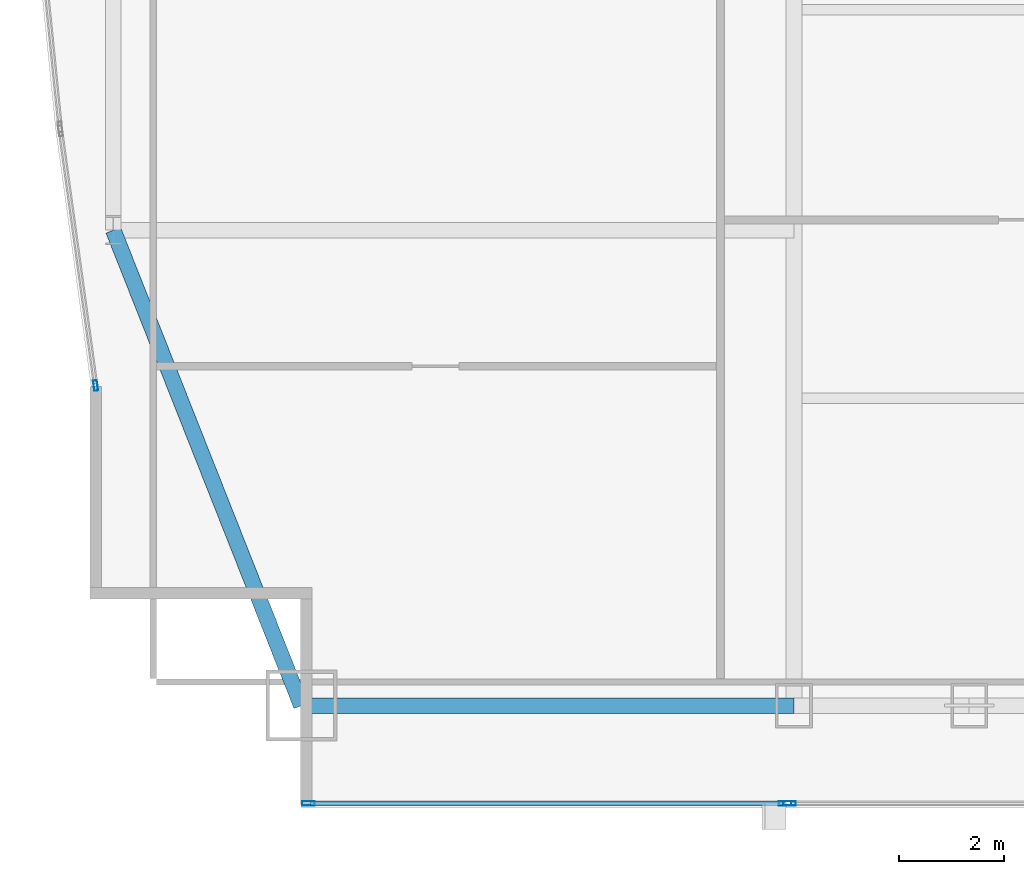
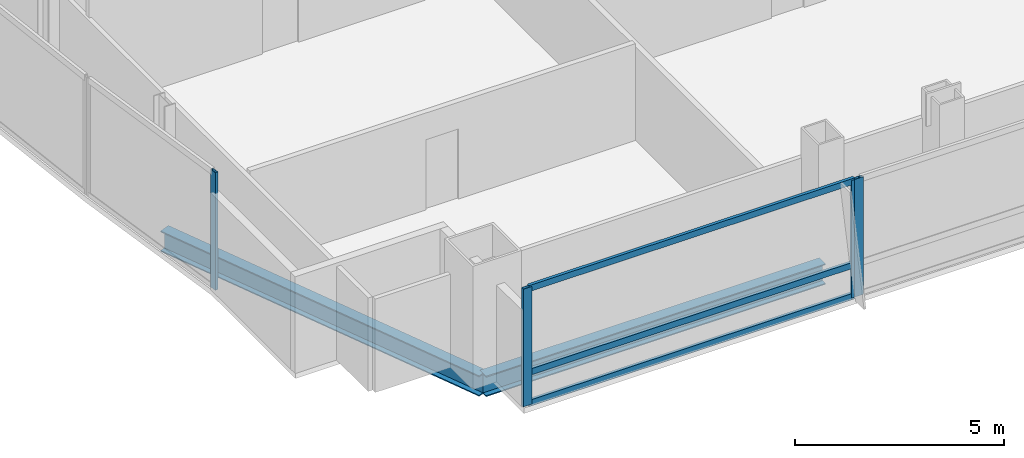
# One storey, part 5 of 29: 7 members, 2 beams, 3 elements without a shape of their own.
"""IFC4 building model written with IfcOpenShell, lengths in metres."""

import ifcopenshell
import ifcopenshell.guid

model = None  # the IFC model being written
_history = None  # IfcOwnerHistory: only IFC2X3 demands one
_inside = {}  # id of a spatial element -> (the spatial element, [elements in it])
_under = {}  # id of a project, library or spatial element -> (it, [spatial elements below it])
_declared = {}  # id of a project -> (the project, [libraries it declares])
_typed = {}  # id of a type object -> (the type object, [elements of that type])
_made_of = {}  # id of a material, layer set ... -> (it, [elements and type objects made of it])


def new_model(schema):
    """Start an empty IFC model of exactly this schema.

    Asked for "IFC4X3", IfcOpenShell would pick the latest addendum, in which some entities
    have other attributes; the version numbers below select the first issue.
    IFC2X3 requires an IfcOwnerHistory on every rooted entity: one is made here for all.
    """
    global model, _history
    if schema == "IFC4X3":
        model = ifcopenshell.file(schema_version=(4, 3, 0, 0))
    else:
        model = ifcopenshell.file(schema=schema)
    _inside.clear()
    _under.clear()
    _declared.clear()
    _typed.clear()
    _made_of.clear()
    _history = None
    if model.schema == "IFC2X3":
        org = make("IfcOrganization", Name="unknown")
        user = make(
            "IfcPersonAndOrganization",
            ThePerson=make("IfcPerson", FamilyName="unknown"),
            TheOrganization=org,
        )
        app = make(
            "IfcApplication",
            ApplicationDeveloper=org,
            Version="unknown",
            ApplicationFullName="unknown",
            ApplicationIdentifier="unknown",
        )
        _history = make(
            "IfcOwnerHistory",
            OwningUser=user,
            OwningApplication=app,
            ChangeAction="ADDED",
            CreationDate=0,
        )
    return model


def make(cls, **values):
    """One entity of the class cls with the attributes given. An attribute that is None is left unset."""
    return model.create_entity(
        cls, **{name: value for name, value in values.items() if value is not None}
    )


def rooted(cls, **values):
    """An entity with a GlobalId (a new one), such as an element, a storey or a relation."""
    return make(cls, GlobalId=ifcopenshell.guid.new(), OwnerHistory=_history, **values)


def si_unit(unit_type, name, prefix=None):
    """IfcSIUnit, for example si_unit("LENGTHUNIT", "METRE", prefix="MILLI")."""
    return make("IfcSIUnit", UnitType=unit_type, Prefix=prefix, Name=name)


def assignment(units):
    """IfcUnitAssignment: the units of a project."""
    return None if units is None else make("IfcUnitAssignment", Units=units)


def point(xyz):
    """IfcCartesianPoint."""
    return None if xyz is None else make("IfcCartesianPoint", Coordinates=xyz)


def direction(xyz):
    """IfcDirection."""
    return None if xyz is None else make("IfcDirection", DirectionRatios=xyz)


def frame(location, z_axis=None, x_axis=None):
    """IfcAxis2Placement3D, a coordinate frame: its origin and axes. An axis left out is left unset."""
    return make(
        "IfcAxis2Placement3D",
        Location=point(location),
        Axis=direction(z_axis),
        RefDirection=direction(x_axis),
    )


def frame_2d(location, x_axis=None):
    """IfcAxis2Placement2D, a coordinate frame in the plane: its origin and x axis."""
    return make(
        "IfcAxis2Placement2D", Location=point(location), RefDirection=direction(x_axis)
    )


def origin():
    """The frame at (0, 0, 0) with its axes left unset."""
    return frame((0.0, 0.0, 0.0))


def origin_2d():
    """The frame at (0, 0) in the plane with its x axis left unset."""
    return frame_2d((0.0, 0.0))


def place(relative_to, where):
    """IfcLocalPlacement: puts the frame where relative to a parent placement (None: the world)."""
    return make(
        "IfcLocalPlacement", PlacementRelTo=relative_to, RelativePlacement=where
    )


def context(
    kind, dimensions, precision=None, world=None, true_north=None, identifier=None
):
    """IfcGeometricRepresentationContext, for example the 3D "Model" context."""
    return make(
        "IfcGeometricRepresentationContext",
        ContextIdentifier=identifier,
        ContextType=kind,
        CoordinateSpaceDimension=dimensions,
        Precision=precision,
        WorldCoordinateSystem=world,
        TrueNorth=true_north,
    )


def subcontext(parent, identifier, kind, view, scale=None):
    """IfcGeometricRepresentationSubContext, for example "Body" below "Model"."""
    return make(
        "IfcGeometricRepresentationSubContext",
        ContextIdentifier=identifier,
        ContextType=kind,
        ParentContext=parent,
        TargetScale=scale,
        TargetView=view,
    )


def project(units=None, contexts=None):
    """IfcProject with its units and contexts."""
    return rooted(
        "IfcProject",
        Name="project",
        RepresentationContexts=contexts,
        UnitsInContext=assignment(units),
    )


def spatial(cls, under=None, at=None, **own):
    """A site, building, storey or space (cls), placed at a placement, below another one or the project."""
    s = rooted(cls, ObjectPlacement=at, **own)
    if under is not None:
        _under.setdefault(under.id(), (under, []))[1].append(s)
    return s


def profile(cls, at=None, kind="AREA", **sizes):
    """A parametric profile (cls). Its sizes go by their IFC names, for example OverallWidth=200.0."""
    return make(cls, ProfileType=kind, Position=at, **sizes)


def hollow_rectangle(**sizes):
    """IfcRectangleHollowProfileDef."""
    return profile("IfcRectangleHollowProfileDef", **sizes)


def i_section(**sizes):
    """IfcIShapeProfileDef."""
    return profile("IfcIShapeProfileDef", **sizes)


def extrude(swept, where, along, depth):
    """IfcExtrudedAreaSolid: the profile swept, set in the frame where, extruded along a direction by depth."""
    return make(
        "IfcExtrudedAreaSolid",
        SweptArea=swept,
        Position=where,
        ExtrudedDirection=direction(along),
        Depth=depth,
    )


def shape(context_of_items, identifier, shape_type, items):
    """IfcShapeRepresentation: the items that make up one representation, for example the "Body"."""
    return make(
        "IfcShapeRepresentation",
        ContextOfItems=context_of_items,
        RepresentationIdentifier=identifier,
        RepresentationType=shape_type,
        Items=items,
    )


def material(Name=None, Category=None):
    """IfcMaterial."""
    return make("IfcMaterial", Name=Name, Category=Category)


def material_profile(
    of_material, cross_section, Name=None, Category=None, Priority=None
):
    """IfcMaterialProfile: a cross section and its material."""
    return make(
        "IfcMaterialProfile",
        Name=Name,
        Material=of_material,
        Profile=cross_section,
        Priority=Priority,
        Category=Category,
    )


def profile_set(profiles, Name=None, composite=None):
    """IfcMaterialProfileSet."""
    return make(
        "IfcMaterialProfileSet",
        Name=Name,
        MaterialProfiles=profiles,
        CompositeProfile=composite,
    )


def made_of(thing, what):
    """Note that an element or type object is made of a material, layer set ...; save() writes the relation."""
    if what is not None:
        _made_of.setdefault(what.id(), (what, []))[1].append(thing)
    return thing


def type_object(cls, material=None, **own):
    """A type object (cls), such as IfcWallType, which elements share."""
    return made_of(rooted(cls, **own), material)


def element(
    cls,
    number,
    at=None,
    inside=None,
    cuts=None,
    type_object=None,
    material=None,
    context=None,
    identifier="Body",
    shape_type=None,
    held_by="IfcProductDefinitionShape",
    body=None,
    shapes=None,
    **own,
):
    """One element of the class cls, such as IfcWall. Its Tag is "e" and its number.

    at: its placement. inside: the storey or other place that contains it. cuts: it is an
    opening in that element (IfcRelVoidsElement). A single representation is given by context,
    identifier, shape_type and body (its items); several are given by shapes. held_by: the class
    of the entity that holds the representations. save() writes the other relations.
    """
    e = rooted(cls, Tag="e%d" % number, ObjectPlacement=at, **own)
    if body is not None:
        shapes = [shape(context, identifier, shape_type, body)]
    if shapes is not None:
        e.Representation = make(held_by, Representations=shapes)
    if inside is not None:
        _inside.setdefault(inside.id(), (inside, []))[1].append(e)
    if cuts is not None:
        rooted(
            "IfcRelVoidsElement", RelatingBuildingElement=cuts, RelatedOpeningElement=e
        )
    if type_object is not None:
        _typed.setdefault(type_object.id(), (type_object, []))[1].append(e)
    return made_of(e, material)


def aggregate(whole, parts):
    """IfcRelAggregates: a whole, such as a stair, and the parts it consists of."""
    return rooted("IfcRelAggregates", RelatingObject=whole, RelatedObjects=parts)


def save(model, path):
    """Write the relations noted so far, then the file.

    IfcRelAggregates (storeys below a building ...), IfcRelContainedInSpatialStructure (elements
    in a storey), IfcRelDefinesByType, IfcRelAssociatesMaterial and IfcRelDeclares: one each for
    every whole, place, type object, material and project.
    """
    for whole, parts in _under.values():
        aggregate(whole, parts)
    for where, things in _inside.values():
        rooted(
            "IfcRelContainedInSpatialStructure",
            RelatedElements=things,
            RelatingStructure=where,
        )
    for kind, things in _typed.values():
        rooted("IfcRelDefinesByType", RelatedObjects=things, RelatingType=kind)
    for what, things in _made_of.values():
        rooted("IfcRelAssociatesMaterial", RelatedObjects=things, RelatingMaterial=what)
    for by, libraries in _declared.values():
        rooted("IfcRelDeclares", RelatingContext=by, RelatedDefinitions=libraries)
    model.write(path)


model = new_model("IFC4")

# Units and contexts
model_context = context("Model", 3, precision=1e-05, world=origin(), true_north=direction((0.0, 1.0)))
body_context = subcontext(model_context, "Body", "Model", "MODEL_VIEW")
ifc_project = project(units=[si_unit("LENGTHUNIT", "METRE"), si_unit("AREAUNIT", "SQUARE_METRE"), si_unit("VOLUMEUNIT", "CUBIC_METRE"), si_unit("PLANEANGLEUNIT", "RADIAN"), si_unit("MASSUNIT", "GRAM", prefix="KILO")], contexts=[model_context])

# Site, building, storey
site_placement = place(None, origin())
site = spatial("IfcSite", under=ifc_project, at=site_placement, CompositionType="ELEMENT")
building_placement = place(site_placement, origin())
building = spatial("IfcBuilding", under=site, at=building_placement, Name="Khoronbel Lancet Exchange", CompositionType="ELEMENT")
storey_placement = place(building_placement, frame((0.0, 0.0, 177.0)))
storey = spatial("IfcBuildingStorey", under=building, at=storey_placement, Name="L44", CompositionType="ELEMENT", Elevation=177.0)

# Beams
ifc_material_1 = material(Name="Steel S355", Category="steel")
ifc_material_profile_1 = material_profile(ifc_material_1, i_section(OverallWidth=0.300048828125, OverallDepth=0.60009765625, WebThickness=0.015380859375, FlangeThickness=0.030029296875, at=origin_2d()), Name="HEB 600")
ifc_profile_set_1 = profile_set([ifc_material_profile_1], Name="Steel S355")
beam_type = type_object("IfcBeamType", Name="BM-BSP2", PredefinedType="SPANDREL", material=ifc_profile_set_1)
beam_1_placement = place(storey_placement, frame((8.85009765625, 10.14990234375, -0.4599609375), z_axis=(1.0, 0.0, 0.0), x_axis=(0.0, 1.0, 0.0)))
element("IfcBeam", 1, at=beam_1_placement, inside=storey, type_object=beam_type, Name="Level L44 perimeter spandrel beam SP01", PredefinedType="SPANDREL", context=body_context, shape_type="SweptSolid", body=[
    extrude(i_section(OverallWidth=0.300048828125, OverallDepth=0.60009765625, WebThickness=0.015380859375, FlangeThickness=0.030029296875, at=origin_2d()), origin(), (0.0, 0.0, 1.0), 9.375),
])
beam_2_placement = place(storey_placement, frame((5.27001953125, 19.199951171875, -0.4599609375), z_axis=(0.367850095026, -0.92988510451, 0.0), x_axis=(0.92988510451, 0.367850095026, 0.0)))
element("IfcBeam", 2, at=beam_2_placement, inside=storey, type_object=beam_type, Name="Level L44 perimeter spandrel beam SP21", PredefinedType="SPANDREL", context=body_context, shape_type="SweptSolid", body=[
    extrude(i_section(OverallWidth=0.300048828125, OverallDepth=0.60009765625, WebThickness=0.015380859375, FlangeThickness=0.030029296875, at=origin_2d()), origin(), (0.0, 0.0, 1.0), 9.732421875),
])

# Curtain wall, members
ifc_material_2 = material(Name="Low-E Solar Control Insulating Glass", Category="glass")
curtain_wall_type_1 = type_object("IfcCurtainWallType", Name="CW-3", PredefinedType="NOTDEFINED", material=ifc_material_2)
curtain_wall_1_placement = place(storey_placement, origin())
curtain_wall_1 = element("IfcCurtainWall", 3, at=curtain_wall_1_placement, inside=storey, type_object=curtain_wall_type_1, Name="Unitised curtain wall CW-L44-SWV", PredefinedType="NOTDEFINED")
ifc_material_3 = material(Name="Bronze-Anodised Aluminium 6063-T6", Category="aluminium")
ifc_material_profile_2 = material_profile(ifc_material_3, hollow_rectangle(XDim=0.0849609375, YDim=0.239990234375, WallThickness=0.006103515625, at=origin_2d()), Name="ALU MULLION 85x240")
ifc_profile_set_2 = profile_set([ifc_material_profile_2], Name="Bronze-Anodised Aluminium 6063-T6")
member_type_1 = type_object("IfcMemberType", Name="MEM-CWM1", PredefinedType="MULLION", material=ifc_profile_set_2)
member_1_placement = place(storey_placement, frame((8.982421875, 8.2900390625, 0.0), z_axis=(0.0, 0.0, 1.0), x_axis=(0.0, 1.0, 0.0)))
member_1 = element("IfcMember", 4, at=member_1_placement, type_object=member_type_1, Name="CW3 mullion 1", PredefinedType="MULLION", context=body_context, shape_type="SweptSolid", body=[
    extrude(hollow_rectangle(XDim=0.0849609375, YDim=0.239990234375, WallThickness=0.006103515625, at=origin_2d()), origin(), (0.0, 0.0, 1.0), 3.43994140625),
])
member_2_placement = place(storey_placement, frame((18.0576171875, 8.2900390625, 0.0), z_axis=(0.0, 0.0, 1.0), x_axis=(0.0, 1.0, 0.0)))
member_2 = element("IfcMember", 5, at=member_2_placement, type_object=member_type_1, Name="CW3 mullion 2", PredefinedType="MULLION", context=body_context, shape_type="SweptSolid", body=[
    extrude(hollow_rectangle(XDim=0.0849609375, YDim=0.239990234375, WallThickness=0.006103515625, at=origin_2d()), origin(), (0.0, 0.0, 1.0), 3.43994140625),
])

# Curtain wall, member
curtain_wall_2_placement = place(storey_placement, origin())
curtain_wall_2 = element("IfcCurtainWall", 6, at=curtain_wall_2_placement, inside=storey, type_object=curtain_wall_type_1, Name="Unitised curtain wall CW-L44-SWB", PredefinedType="NOTDEFINED")
member_3_placement = place(storey_placement, frame((18.142578125, 8.2900390625, 0.0), z_axis=(0.0, 0.0, 1.0), x_axis=(0.0, 1.0, 0.0)))
member_3 = element("IfcMember", 7, at=member_3_placement, type_object=member_type_1, Name="CW3 mullion 1", PredefinedType="MULLION", context=body_context, shape_type="SweptSolid", body=[
    extrude(hollow_rectangle(XDim=0.0849609375, YDim=0.239990234375, WallThickness=0.006103515625, at=origin_2d()), origin(), (0.0, 0.0, 1.0), 3.43994140625),
])
aggregate(curtain_wall_2, [member_3])

curtain_wall_type_2 = type_object("IfcCurtainWallType", Name="CW-4", PredefinedType="NOTDEFINED", material=ifc_material_2)
curtain_wall_3_placement = place(storey_placement, origin())
curtain_wall_3 = element("IfcCurtainWall", 8, at=curtain_wall_3_placement, inside=storey, type_object=curtain_wall_type_2, Name="Unitised curtain wall CW-L44-E04", PredefinedType="NOTDEFINED")
ifc_material_profile_3 = material_profile(ifc_material_3, hollow_rectangle(XDim=0.074951171875, YDim=0.199951171875, WallThickness=0.0048828125, at=origin_2d()), Name="ALU MULLION 75x200")
ifc_profile_set_3 = profile_set([ifc_material_profile_3], Name="Bronze-Anodised Aluminium 6063-T6")
member_type_2 = type_object("IfcMemberType", Name="MEM-CWM2", PredefinedType="MULLION", material=ifc_profile_set_3)
member_4_placement = place(storey_placement, frame((4.934814453125, 16.243408203125, 0.0), z_axis=(0.0, 0.0, 1.0), x_axis=(-0.990634372292, -0.136541350639, 0.0)))
member_4 = element("IfcMember", 9, at=member_4_placement, type_object=member_type_2, Name="CW4 mullion 1", PredefinedType="MULLION", context=body_context, shape_type="SweptSolid", body=[
    extrude(hollow_rectangle(XDim=0.074951171875, YDim=0.199951171875, WallThickness=0.0048828125, at=origin_2d()), origin(), (0.0, 0.0, 1.0), 3.43994140625),
])
aggregate(curtain_wall_3, [member_4])

# Member
ifc_material_profile_4 = material_profile(ifc_material_3, hollow_rectangle(XDim=0.0849609375, YDim=0.179931640625, WallThickness=0.0048828125, at=origin_2d()), Name="ALU TRANSOM 85x180")
ifc_profile_set_4 = profile_set([ifc_material_profile_4], Name="Bronze-Anodised Aluminium 6063-T6")
member_type_3 = type_object("IfcMemberType", Name="MEM-CWT1", PredefinedType="USERDEFINED", material=ifc_profile_set_4)
member_5_placement = place(storey_placement, frame((9.02490234375, 8.2900390625, 0.04248046875), z_axis=(1.0, 0.0, 0.0), x_axis=(0.0, 1.0, 0.0)))
member_5 = element("IfcMember", 10, at=member_5_placement, type_object=member_type_3, Name="CW3 transom 1.1", ObjectType="TRANSOM", PredefinedType="USERDEFINED", context=body_context, shape_type="SweptSolid", body=[
    extrude(hollow_rectangle(XDim=0.0849609375, YDim=0.179931640625, WallThickness=0.0048828125, at=origin_2d()), origin(), (0.0, 0.0, 1.0), 8.989990234375),
])

member_6_placement = place(storey_placement, frame((9.02490234375, 8.2900390625, 0.949951171875), z_axis=(1.0, 0.0, 0.0), x_axis=(0.0, 1.0, 0.0)))
member_6 = element("IfcMember", 11, at=member_6_placement, type_object=member_type_3, Name="CW3 transom 1.2", ObjectType="TRANSOM", PredefinedType="USERDEFINED", context=body_context, shape_type="SweptSolid", body=[
    extrude(hollow_rectangle(XDim=0.0849609375, YDim=0.179931640625, WallThickness=0.0048828125, at=origin_2d()), origin(), (0.0, 0.0, 1.0), 8.989990234375),
])

member_7_placement = place(storey_placement, frame((9.02490234375, 8.2900390625, 3.3974609375), z_axis=(1.0, 0.0, 0.0), x_axis=(0.0, 1.0, 0.0)))
member_7 = element("IfcMember", 12, at=member_7_placement, type_object=member_type_3, Name="CW3 transom 1.3", ObjectType="TRANSOM", PredefinedType="USERDEFINED", context=body_context, shape_type="SweptSolid", body=[
    extrude(hollow_rectangle(XDim=0.0849609375, YDim=0.179931640625, WallThickness=0.0048828125, at=origin_2d()), origin(), (0.0, 0.0, 1.0), 8.989990234375),
])

aggregate(curtain_wall_1, [member_1, member_2, member_5, member_6, member_7])

save(model, "model.ifc")
